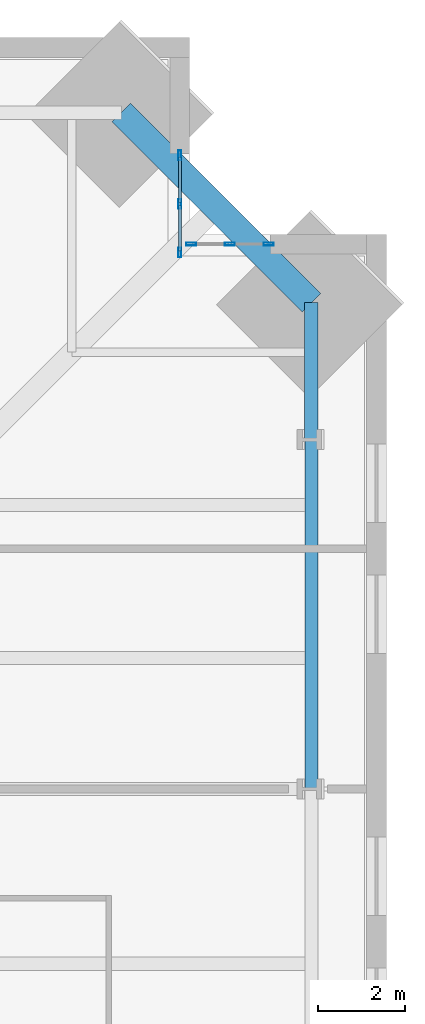
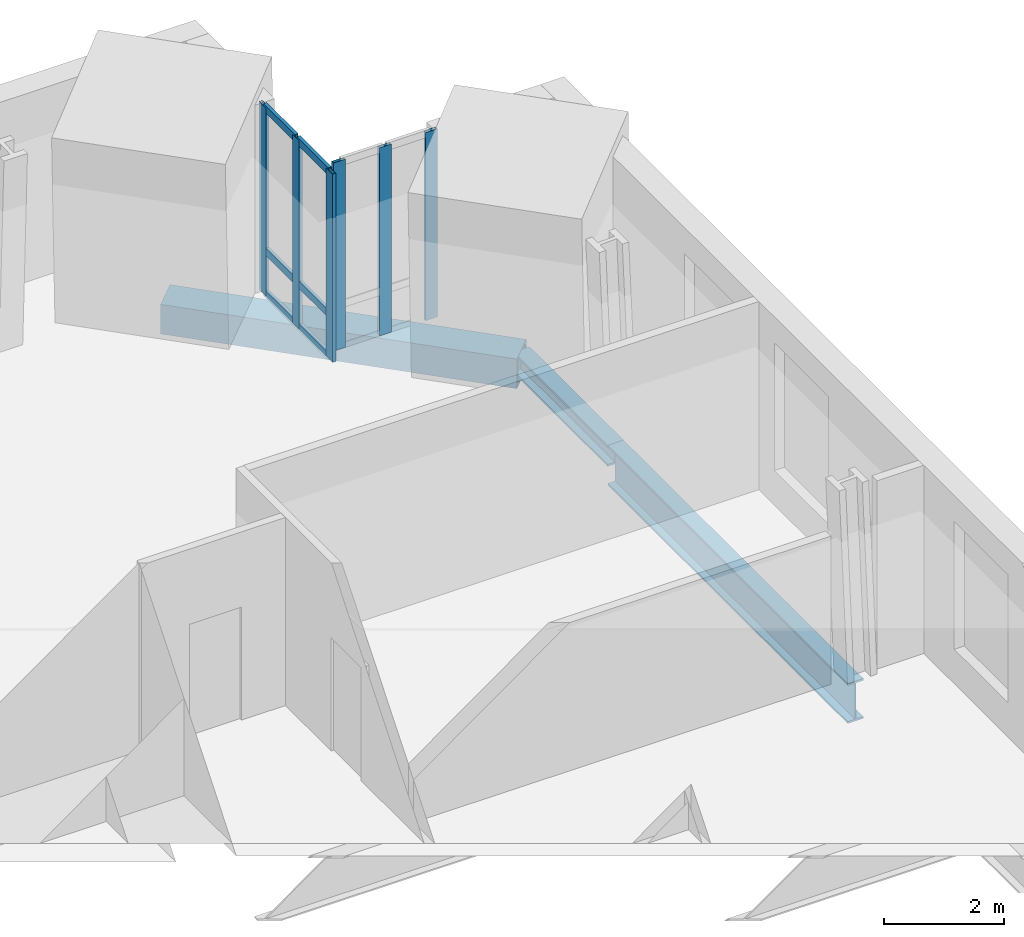
# One storey, part 8 of 15: 12 members, 3 beams, 2 elements without a shape of their own.
"""IFC4 building model written with IfcOpenShell, lengths in metres."""

from ifc_helpers import new_model, si_unit, direction, frame, origin, origin_2d, place, context, subcontext, project, spatial, hollow_rectangle, i_section, extrude, material, material_profile, profile_set, type_object, element, aggregate, save


model = new_model("IFC4")

# Units and contexts
model_context = context("Model", 3, precision=1e-05, world=origin(), true_north=direction((0.0, 1.0)))
body_context = subcontext(model_context, "Body", "Model", "MODEL_VIEW")
ifc_project = project(units=[si_unit("LENGTHUNIT", "METRE"), si_unit("AREAUNIT", "SQUARE_METRE"), si_unit("VOLUMEUNIT", "CUBIC_METRE"), si_unit("PLANEANGLEUNIT", "RADIAN"), si_unit("MASSUNIT", "GRAM", prefix="KILO")], contexts=[model_context])

# Site, building, storey
site_placement = place(None, origin())
site = spatial("IfcSite", under=ifc_project, at=site_placement, CompositionType="ELEMENT")
building_placement = place(site_placement, origin())
building = spatial("IfcBuilding", under=site, at=building_placement, Name="Peilmerk Tower", CompositionType="ELEMENT")
storey_placement = place(building_placement, frame((0.0, 0.0, 183.800048828125)))
storey = spatial("IfcBuildingStorey", under=building, at=storey_placement, Name="L39", CompositionType="ELEMENT", Elevation=183.800048828125)

# Beams
ifc_material_1 = material(Name="Steel S355", Category="steel")
ifc_material_profile_1 = material_profile(ifc_material_1, i_section(OverallWidth=0.302978515625, OverallDepth=0.81396484375, WebThickness=0.02099609375, FlangeThickness=0.0400390625, at=origin_2d()), Name="HEM 800")
ifc_profile_set_1 = profile_set([ifc_material_profile_1], Name="Steel S355")
beam_type_1 = type_object("IfcBeamType", Name="B15 HEM 800 edge beam", PredefinedType="SPANDREL", material=ifc_profile_set_1)
beam_1_placement = place(storey_placement, frame((23.485595703125, 8.0, -0.5771484375), z_axis=(0.0, 1.0, 0.0), x_axis=(-1.0, 0.0, 0.0)))
element("IfcBeam", 1, at=beam_1_placement, inside=storey, type_object=beam_type_1, Name="Edge beam L39", PredefinedType="SPANDREL", context=body_context, shape_type="SweptSolid", body=[
    extrude(i_section(OverallWidth=0.302978515625, OverallDepth=0.81396484375, WebThickness=0.02099609375, FlangeThickness=0.0400390625, at=origin_2d()), origin(), (0.0, 0.0, 1.0), 8.0),
])
ifc_material_2 = material(Name="Steel S460", Category="steel")
ifc_material_profile_2 = material_profile(ifc_material_2, hollow_rectangle(XDim=0.60009765625, YDim=0.60009765625, WallThickness=0.06005859375, at=origin_2d()), Name="BOX 600x600x60")
ifc_profile_set_2 = profile_set([ifc_material_profile_2], Name="Steel S460")
beam_type_2 = type_object("IfcBeamType", Name="B20 BOX 600x600x60 notch beam", PredefinedType="SPANDREL", material=ifc_profile_set_2)
beam_2_placement = place(storey_placement, frame((19.135498046875, 23.485595703125, -0.469970703125), z_axis=(0.707106781187, -0.707106781187, 0.0), x_axis=(0.707106781187, 0.707106781187, 0.0)))
element("IfcBeam", 2, at=beam_2_placement, inside=storey, type_object=beam_type_2, Name="Notch beam L39", PredefinedType="SPANDREL", context=body_context, shape_type="SweptSolid", body=[
    extrude(hollow_rectangle(XDim=0.60009765625, YDim=0.60009765625, WallThickness=0.06005859375, at=origin_2d()), origin(), (0.0, 0.0, 1.0), 6.15185546875),
])
ifc_material_profile_3 = material_profile(ifc_material_1, i_section(OverallWidth=0.306884765625, OverallDepth=0.431884765625, WebThickness=0.02099609375, FlangeThickness=0.0400390625, at=origin_2d()), Name="HEM 400")
ifc_profile_set_3 = profile_set([ifc_material_profile_3], Name="Steel S355")
beam_type_3 = type_object("IfcBeamType", Name="B34 HEM 400 edge beam", PredefinedType="SPANDREL", material=ifc_profile_set_3)
beam_3_placement = place(storey_placement, frame((23.485595703125, 16.0, -0.385986328125), z_axis=(0.0, 1.0, 0.0), x_axis=(-1.0, 0.0, 0.0)))
element("IfcBeam", 3, at=beam_3_placement, inside=storey, type_object=beam_type_3, Name="Edge beam L39", PredefinedType="SPANDREL", context=body_context, shape_type="SweptSolid", body=[
    extrude(i_section(OverallWidth=0.306884765625, OverallDepth=0.431884765625, WebThickness=0.02099609375, FlangeThickness=0.0400390625, at=origin_2d()), origin(), (0.0, 0.0, 1.0), 3.135498046875),
])

# Curtain wall, members
ifc_material_3 = material(Name="Aluminium stick curtain wall", Category="aluminium")
curtain_wall_type = type_object("IfcCurtainWallType", Name="CW3 stick curtain wall, 2250 module", PredefinedType="NOTDEFINED", material=ifc_material_3)
curtain_wall_1_placement = place(storey_placement, origin())
curtain_wall_1 = element("IfcCurtainWall", 4, at=curtain_wall_1_placement, inside=storey, type_object=curtain_wall_type, Name="Curtain wall CW3 NEA L39", PredefinedType="NOTDEFINED")
ifc_material_4 = material(Name="Aluminium EN AW-6063 T6", Category="aluminium")
ifc_material_profile_4 = material_profile(ifc_material_4, hollow_rectangle(XDim=0.06494140625, YDim=0.22509765625, WallThickness=0.00390625, at=origin_2d()), Name="AL 225x65x4")
ifc_profile_set_4 = profile_set([ifc_material_profile_4], Name="Aluminium EN AW-6063 T6")
member_type_1 = type_object("IfcMemberType", Name="CW3-M AL 225x65x4 mullion", PredefinedType="MULLION", material=ifc_profile_set_4)
member_1_placement = place(storey_placement, frame((20.47509765625, 20.282470703125, 0.0), z_axis=(0.0, 0.0, 1.0), x_axis=(-1.0, 0.0, 0.0)))
member_1 = element("IfcMember", 5, at=member_1_placement, type_object=member_type_1, Name="CW3 mullion 1", PredefinedType="MULLION", context=body_context, shape_type="SweptSolid", body=[
    extrude(hollow_rectangle(XDim=0.06494140625, YDim=0.22509765625, WallThickness=0.00390625, at=origin_2d()), origin(), (0.0, 0.0, 1.0), 3.829833984375),
])
member_2_placement = place(storey_placement, frame((20.47509765625, 21.394287109375, 0.0), z_axis=(0.0, 0.0, 1.0), x_axis=(-1.0, 0.0, 0.0)))
member_2 = element("IfcMember", 6, at=member_2_placement, type_object=member_type_1, Name="CW3 mullion 2", PredefinedType="MULLION", context=body_context, shape_type="SweptSolid", body=[
    extrude(hollow_rectangle(XDim=0.06494140625, YDim=0.22509765625, WallThickness=0.00390625, at=origin_2d()), origin(), (0.0, 0.0, 1.0), 3.829833984375),
])
member_3_placement = place(storey_placement, frame((20.47509765625, 22.506103515625, 0.0), z_axis=(0.0, 0.0, 1.0), x_axis=(-1.0, 0.0, 0.0)))
member_3 = element("IfcMember", 7, at=member_3_placement, type_object=member_type_1, Name="CW3 mullion 3", PredefinedType="MULLION", context=body_context, shape_type="SweptSolid", body=[
    extrude(hollow_rectangle(XDim=0.06494140625, YDim=0.22509765625, WallThickness=0.00390625, at=origin_2d()), origin(), (0.0, 0.0, 1.0), 3.829833984375),
])

curtain_wall_2_placement = place(storey_placement, origin())
curtain_wall_2 = element("IfcCurtainWall", 8, at=curtain_wall_2_placement, inside=storey, type_object=curtain_wall_type, Name="Curtain wall CW3 NEB L39", PredefinedType="NOTDEFINED")
member_4_placement = place(storey_placement, frame((20.732421875, 20.47509765625, 0.0), z_axis=(0.0, 0.0, 1.0), x_axis=(0.0, 1.0, 0.0)))
member_4 = element("IfcMember", 9, at=member_4_placement, type_object=member_type_1, Name="CW3 mullion 1", PredefinedType="MULLION", context=body_context, shape_type="SweptSolid", body=[
    extrude(hollow_rectangle(XDim=0.06494140625, YDim=0.22509765625, WallThickness=0.00390625, at=origin_2d()), origin(), (0.0, 0.0, 1.0), 3.829833984375),
])
member_5_placement = place(storey_placement, frame((21.619384765625, 20.47509765625, 0.0), z_axis=(0.0, 0.0, 1.0), x_axis=(0.0, 1.0, 0.0)))
member_5 = element("IfcMember", 10, at=member_5_placement, type_object=member_type_1, Name="CW3 mullion 2", PredefinedType="MULLION", context=body_context, shape_type="SweptSolid", body=[
    extrude(hollow_rectangle(XDim=0.06494140625, YDim=0.22509765625, WallThickness=0.00390625, at=origin_2d()), origin(), (0.0, 0.0, 1.0), 3.829833984375),
])
member_6_placement = place(storey_placement, frame((22.506103515625, 20.47509765625, 0.0), z_axis=(0.0, 0.0, 1.0), x_axis=(0.0, 1.0, 0.0)))
member_6 = element("IfcMember", 11, at=member_6_placement, type_object=member_type_1, Name="CW3 mullion 3", PredefinedType="MULLION", context=body_context, shape_type="SweptSolid", body=[
    extrude(hollow_rectangle(XDim=0.06494140625, YDim=0.22509765625, WallThickness=0.00390625, at=origin_2d()), origin(), (0.0, 0.0, 1.0), 3.829833984375),
])
aggregate(curtain_wall_2, [member_4, member_5, member_6])

# Member
ifc_material_profile_5 = material_profile(ifc_material_4, hollow_rectangle(XDim=0.06494140625, YDim=0.14990234375, WallThickness=0.0029296875, at=origin_2d()), Name="AL 150x65x3")
ifc_profile_set_5 = profile_set([ifc_material_profile_5], Name="Aluminium EN AW-6063 T6")
member_type_2 = type_object("IfcMemberType", Name="CW3-T AL 150x65x3 transom", PredefinedType="USERDEFINED", material=ifc_profile_set_5)
member_7_placement = place(storey_placement, frame((20.47509765625, 20.31494140625, 0.032470703125), z_axis=(0.0, 1.0, 0.0), x_axis=(-1.0, 0.0, 0.0)))
member_7 = element("IfcMember", 12, at=member_7_placement, type_object=member_type_2, Name="CW3 transom 1.1", ObjectType="TRANSOM", PredefinedType="USERDEFINED", context=body_context, shape_type="SweptSolid", body=[
    extrude(hollow_rectangle(XDim=0.06494140625, YDim=0.14990234375, WallThickness=0.0029296875, at=origin_2d()), origin(), (0.0, 0.0, 1.0), 1.046875),
])

member_8_placement = place(storey_placement, frame((20.47509765625, 20.31494140625, 0.89990234375), z_axis=(0.0, 1.0, 0.0), x_axis=(-1.0, 0.0, 0.0)))
member_8 = element("IfcMember", 13, at=member_8_placement, type_object=member_type_2, Name="CW3 transom 1.2", ObjectType="TRANSOM", PredefinedType="USERDEFINED", context=body_context, shape_type="SweptSolid", body=[
    extrude(hollow_rectangle(XDim=0.06494140625, YDim=0.14990234375, WallThickness=0.0029296875, at=origin_2d()), origin(), (0.0, 0.0, 1.0), 1.046875),
])

member_9_placement = place(storey_placement, frame((20.47509765625, 20.31494140625, 3.79736328125), z_axis=(0.0, 1.0, 0.0), x_axis=(-1.0, 0.0, 0.0)))
member_9 = element("IfcMember", 14, at=member_9_placement, type_object=member_type_2, Name="CW3 transom 1.3", ObjectType="TRANSOM", PredefinedType="USERDEFINED", context=body_context, shape_type="SweptSolid", body=[
    extrude(hollow_rectangle(XDim=0.06494140625, YDim=0.14990234375, WallThickness=0.0029296875, at=origin_2d()), origin(), (0.0, 0.0, 1.0), 1.046875),
])

member_10_placement = place(storey_placement, frame((20.47509765625, 21.4267578125, 0.032470703125), z_axis=(0.0, 1.0, 0.0), x_axis=(-1.0, 0.0, 0.0)))
member_10 = element("IfcMember", 15, at=member_10_placement, type_object=member_type_2, Name="CW3 transom 2.1", ObjectType="TRANSOM", PredefinedType="USERDEFINED", context=body_context, shape_type="SweptSolid", body=[
    extrude(hollow_rectangle(XDim=0.06494140625, YDim=0.14990234375, WallThickness=0.0029296875, at=origin_2d()), origin(), (0.0, 0.0, 1.0), 1.046875),
])

member_11_placement = place(storey_placement, frame((20.47509765625, 21.4267578125, 0.89990234375), z_axis=(0.0, 1.0, 0.0), x_axis=(-1.0, 0.0, 0.0)))
member_11 = element("IfcMember", 16, at=member_11_placement, type_object=member_type_2, Name="CW3 transom 2.2", ObjectType="TRANSOM", PredefinedType="USERDEFINED", context=body_context, shape_type="SweptSolid", body=[
    extrude(hollow_rectangle(XDim=0.06494140625, YDim=0.14990234375, WallThickness=0.0029296875, at=origin_2d()), origin(), (0.0, 0.0, 1.0), 1.046875),
])

member_12_placement = place(storey_placement, frame((20.47509765625, 21.4267578125, 3.79736328125), z_axis=(0.0, 1.0, 0.0), x_axis=(-1.0, 0.0, 0.0)))
member_12 = element("IfcMember", 17, at=member_12_placement, type_object=member_type_2, Name="CW3 transom 2.3", ObjectType="TRANSOM", PredefinedType="USERDEFINED", context=body_context, shape_type="SweptSolid", body=[
    extrude(hollow_rectangle(XDim=0.06494140625, YDim=0.14990234375, WallThickness=0.0029296875, at=origin_2d()), origin(), (0.0, 0.0, 1.0), 1.046875),
])

aggregate(curtain_wall_1, [member_1, member_2, member_3, member_7, member_8, member_9, member_10, member_11, member_12])

save(model, "model.ifc")
